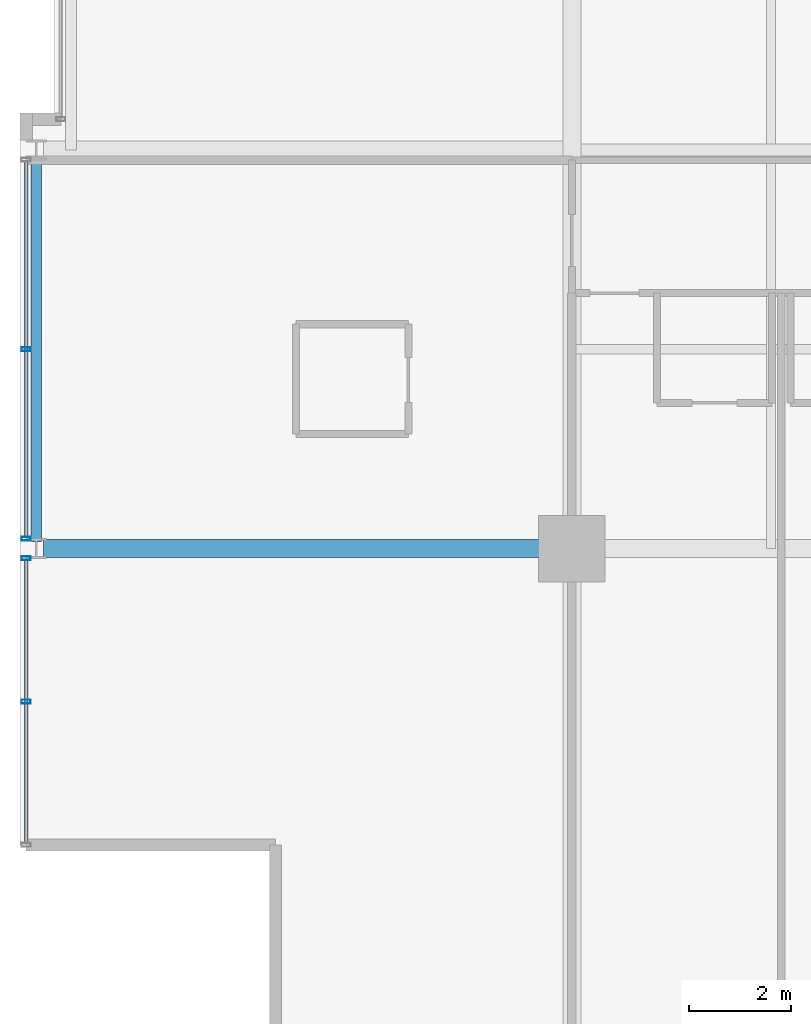
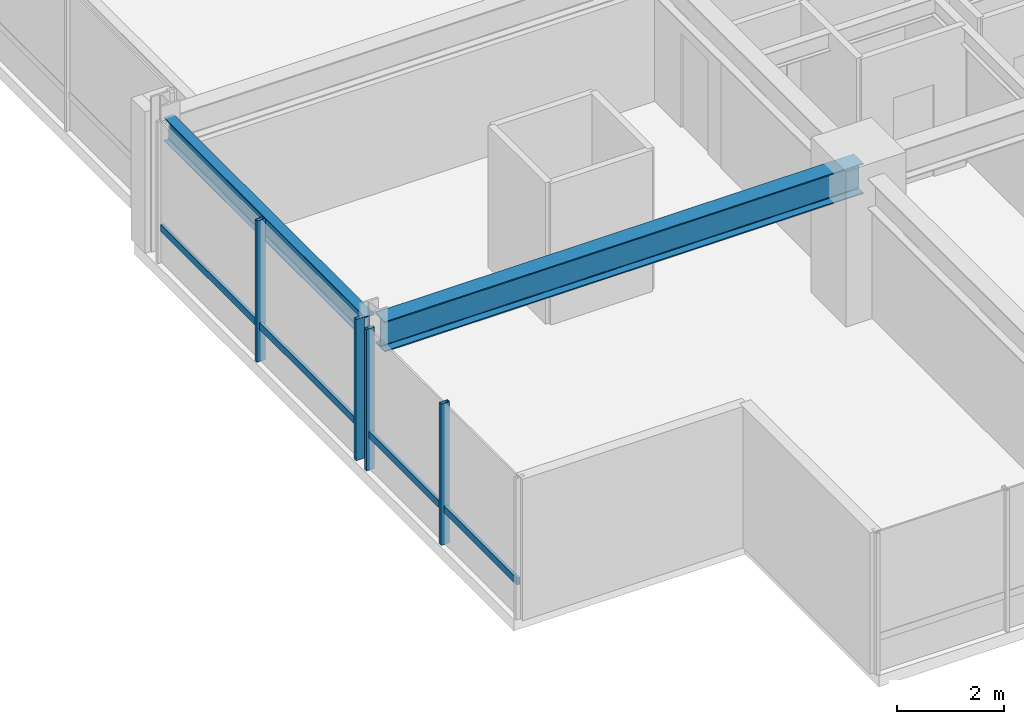
# One storey, part 4 of 33: 6 members, 2 beams, 2 elements without a shape of their own.
"""IFC4 building model written with IfcOpenShell, lengths in metres."""

from ifc_helpers import new_model, si_unit, direction, frame, origin, origin_2d, place, context, subcontext, project, spatial, hollow_rectangle, i_section, extrude, material, layer, layer_set, material_profile, profile_set, type_object, element, aggregate, save


model = new_model("IFC4")

# Units and contexts
model_context = context("Model", 3, precision=1e-05, world=origin(), true_north=direction((0.0, 1.0)))
body_context = subcontext(model_context, "Body", "Model", "MODEL_VIEW")
ifc_project = project(units=[si_unit("LENGTHUNIT", "METRE"), si_unit("AREAUNIT", "SQUARE_METRE"), si_unit("VOLUMEUNIT", "CUBIC_METRE"), si_unit("PLANEANGLEUNIT", "RADIAN"), si_unit("MASSUNIT", "GRAM", prefix="KILO")], contexts=[model_context])

# Site, building, storey
site_placement = place(None, origin())
site = spatial("IfcSite", under=ifc_project, at=site_placement, CompositionType="ELEMENT")
building_placement = place(site_placement, origin())
building = spatial("IfcBuilding", under=site, at=building_placement, Name="Drelvath Grand Hotel", CompositionType="ELEMENT")
storey_placement = place(building_placement, frame((0.0, 0.0, 196.550048828125)))
storey = spatial("IfcBuildingStorey", under=building, at=storey_placement, Name="L51", CompositionType="ELEMENT", Elevation=196.550048828125)

# Curtain wall, member
ifc_material_1 = material(Name="Brushed Pale-Silver Anodised Aluminium Frame", Category="aluminium")
ifc_layer = layer(ifc_material_1, 0.199951171875)
ifc_layer_set = layer_set([ifc_layer], Name="Brushed Pale-Silver Anodised Aluminium Frame")
curtain_wall_type = type_object("IfcCurtainWallType", Name="Stick Curtain Wall CW-04 Brushed Silver Upper-Mid", PredefinedType="NOTDEFINED", material=ifc_layer_set)
curtain_wall_1_placement = place(storey_placement, origin())
curtain_wall_1 = element("IfcCurtainWall", 1, at=curtain_wall_1_placement, inside=storey, type_object=curtain_wall_type, Name="L51 CW-04 Curtain Wall CW04-L51-WS1", PredefinedType="NOTDEFINED")
ifc_material_profile_1 = material_profile(ifc_material_1, hollow_rectangle(XDim=0.06494140625, YDim=0.159912109375, WallThickness=0.00390625, at=origin_2d()), Name="HSS160X65X4")
ifc_profile_set_1 = profile_set([ifc_material_profile_1], Name="Brushed Pale-Silver Anodised Aluminium Frame")
member_type_1 = type_object("IfcMemberType", Name="Curtain Wall Horizontal Transom CW-04 HSS160X65X4", PredefinedType="USERDEFINED", material=ifc_profile_set_1)
member_1_placement = place(storey_placement, frame((-26.8798828125, 5.0400390625, 0.807373046875), z_axis=(0.0, 1.0, 0.0), x_axis=(-1.0, 0.0, 0.0)))
member_1 = element("IfcMember", 2, at=member_1_placement, type_object=member_type_1, Name="CW04-L51-WS1 Sill Transom", ObjectType="TRANSOM", PredefinedType="USERDEFINED", context=body_context, shape_type="SweptSolid", body=[
    extrude(hollow_rectangle(XDim=0.06494140625, YDim=0.159912109375, WallThickness=0.00390625, at=origin_2d()), origin(), (0.0, 0.0, 1.0), 5.5283203125),
])

curtain_wall_2_placement = place(storey_placement, origin())
curtain_wall_2 = element("IfcCurtainWall", 3, at=curtain_wall_2_placement, inside=storey, type_object=curtain_wall_type, Name="L51 CW-04 Curtain Wall CW04-L51-WS2", PredefinedType="NOTDEFINED")
member_2_placement = place(storey_placement, frame((-26.8798828125, 11.03173828125, 0.807373046875), z_axis=(0.0, 1.0, 0.0), x_axis=(-1.0, 0.0, 0.0)))
member_2 = element("IfcMember", 4, at=member_2_placement, type_object=member_type_1, Name="CW04-L51-WS2 Sill Transom", ObjectType="TRANSOM", PredefinedType="USERDEFINED", context=body_context, shape_type="SweptSolid", body=[
    extrude(hollow_rectangle(XDim=0.06494140625, YDim=0.159912109375, WallThickness=0.00390625, at=origin_2d()), origin(), (0.0, 0.0, 1.0), 7.336669921875),
])

# Member
ifc_material_profile_2 = material_profile(ifc_material_1, hollow_rectangle(XDim=0.074951171875, YDim=0.179931640625, WallThickness=0.0048828125, at=origin_2d()), Name="HSS180X75X5")
ifc_profile_set_2 = profile_set([ifc_material_profile_2], Name="Brushed Pale-Silver Anodised Aluminium Frame")
member_type_2 = type_object("IfcMemberType", Name="Curtain Wall Vertical Mullion CW-04 HSS180X75X5", PredefinedType="MULLION", material=ifc_profile_set_2)
member_3_placement = place(storey_placement, frame((-26.8798828125, 7.80419921875, 0.0), z_axis=(0.0, 0.0, 1.0), x_axis=(0.0, 1.0, 0.0)))
member_3 = element("IfcMember", 5, at=member_3_placement, type_object=member_type_2, Name="CW04-L51-WS1 Mullion 2", PredefinedType="MULLION", context=body_context, shape_type="SweptSolid", body=[
    extrude(hollow_rectangle(XDim=0.074951171875, YDim=0.179931640625, WallThickness=0.0048828125, at=origin_2d()), origin(), (0.0, 0.0, 1.0), 3.22998046875),
])

member_4_placement = place(storey_placement, frame((-26.8798828125, 10.6083984375, 0.0), z_axis=(0.0, 0.0, 1.0), x_axis=(0.0, 1.0, 0.0)))
member_4 = element("IfcMember", 6, at=member_4_placement, type_object=member_type_2, Name="CW04-L51-WS1 Mullion 3", PredefinedType="MULLION", context=body_context, shape_type="SweptSolid", body=[
    extrude(hollow_rectangle(XDim=0.074951171875, YDim=0.179931640625, WallThickness=0.0048828125, at=origin_2d()), origin(), (0.0, 0.0, 1.0), 3.22998046875),
])

aggregate(curtain_wall_1, [member_3, member_4, member_1])

member_5_placement = place(storey_placement, frame((-26.8798828125, 10.99169921875, 0.0), z_axis=(0.0, 0.0, 1.0), x_axis=(0.0, 1.0, 0.0)))
member_5 = element("IfcMember", 7, at=member_5_placement, type_object=member_type_2, Name="CW04-L51-WS2 Mullion 1", PredefinedType="MULLION", context=body_context, shape_type="SweptSolid", body=[
    extrude(hollow_rectangle(XDim=0.074951171875, YDim=0.179931640625, WallThickness=0.0048828125, at=origin_2d()), origin(), (0.0, 0.0, 1.0), 3.22998046875),
])

member_6_placement = place(storey_placement, frame((-26.8798828125, 14.7001953125, 0.0), z_axis=(0.0, 0.0, 1.0), x_axis=(0.0, 1.0, 0.0)))
member_6 = element("IfcMember", 8, at=member_6_placement, type_object=member_type_2, Name="CW04-L51-WS2 Mullion 2", PredefinedType="MULLION", context=body_context, shape_type="SweptSolid", body=[
    extrude(hollow_rectangle(XDim=0.074951171875, YDim=0.179931640625, WallThickness=0.0048828125, at=origin_2d()), origin(), (0.0, 0.0, 1.0), 3.22998046875),
])

aggregate(curtain_wall_2, [member_5, member_6, member_2])

# Beams
ifc_material_2 = material(Name="Steel ASTM A992 Gr 50", Category="steel")
ifc_material_profile_3 = material_profile(ifc_material_2, i_section(OverallWidth=0.210205078125, OverallDepth=0.53662109375, WebThickness=0.010986328125, FlangeThickness=0.017333984375, FilletRadius=0.01806640625, at=origin_2d()), Name="W21X68")
ifc_profile_set_3 = profile_set([ifc_material_profile_3], Name="Steel ASTM A992 Gr 50")
beam_type_1 = type_object("IfcBeamType", Name="Perimeter Spandrel Beam W21X68", PredefinedType="SPANDREL", material=ifc_profile_set_3)
beam_1_placement = place(storey_placement, frame((-26.679931640625, 10.93994140625, 2.961669921875), z_axis=(0.0, 1.0, 0.0), x_axis=(-1.0, 0.0, 0.0)))
element("IfcBeam", 9, at=beam_1_placement, inside=storey, type_object=beam_type_1, Name="L51 Spandrel West S", PredefinedType="SPANDREL", context=body_context, shape_type="SweptSolid", body=[
    extrude(i_section(OverallWidth=0.210205078125, OverallDepth=0.53662109375, WebThickness=0.010986328125, FlangeThickness=0.017333984375, FilletRadius=0.01806640625, at=origin_2d()), origin(), (0.0, 0.0, 1.0), 7.52001953125),
])
ifc_material_profile_4 = material_profile(ifc_material_2, i_section(OverallWidth=0.354736328125, OverallDepth=0.695556640625, WebThickness=0.015380859375, FlangeThickness=0.025146484375, FilletRadius=0.02392578125, at=origin_2d()), Name="W27X146")
ifc_profile_set_4 = profile_set([ifc_material_profile_4], Name="Steel ASTM A992 Gr 50")
beam_type_2 = type_object("IfcBeamType", Name="Primary Floor Girder W27X146", PredefinedType="BEAM", material=ifc_profile_set_4)
beam_2_placement = place(storey_placement, frame((-26.5400390625, 10.800048828125, 2.88232421875), z_axis=(1.0, 0.0, 0.0), x_axis=(0.0, 1.0, 0.0)))
element("IfcBeam", 10, at=beam_2_placement, inside=storey, type_object=beam_type_2, Name="L51 West Grid Girder C", PredefinedType="BEAM", context=body_context, shape_type="SweptSolid", body=[
    extrude(i_section(OverallWidth=0.354736328125, OverallDepth=0.695556640625, WebThickness=0.015380859375, FlangeThickness=0.025146484375, FilletRadius=0.02392578125, at=origin_2d()), origin(), (0.0, 0.0, 1.0), 10.340087890625),
])

save(model, "model.ifc")
